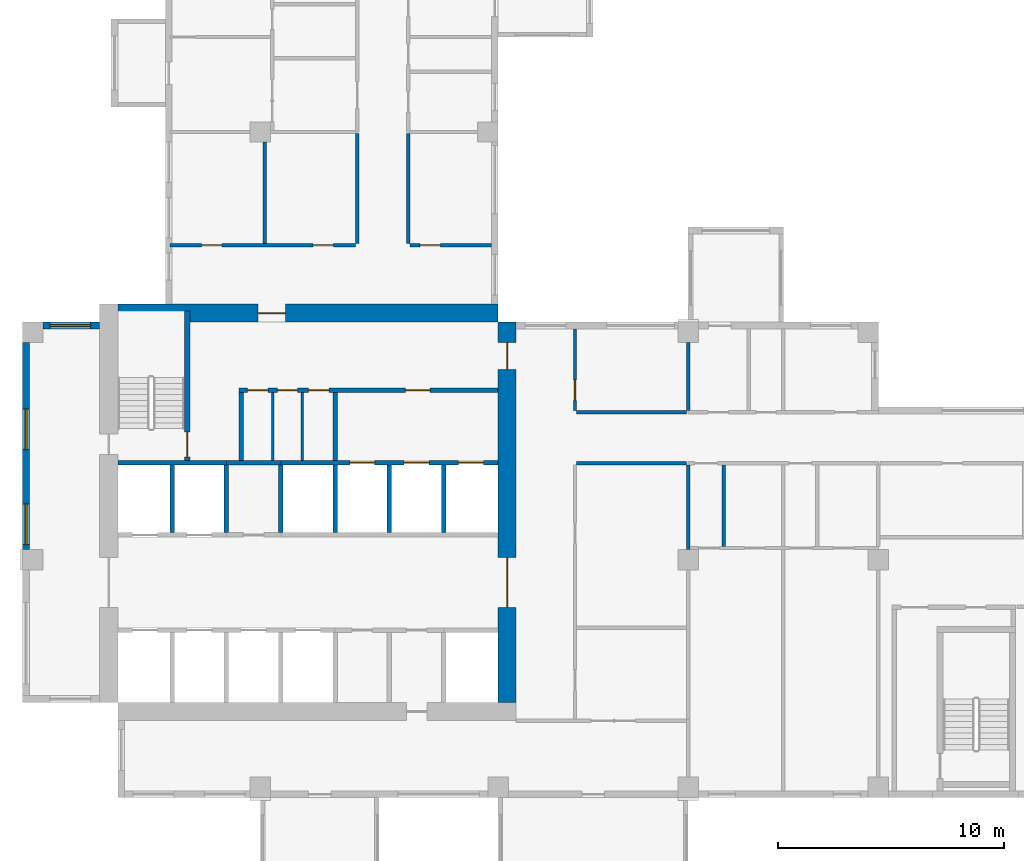
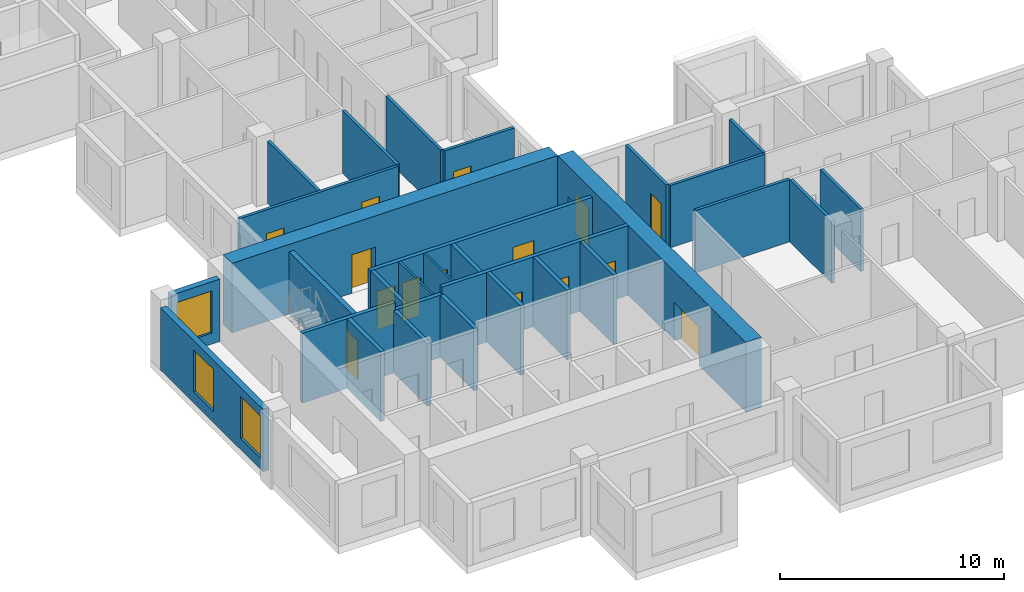
# One storey, part 3 of 12: 30 walls, 15 doors, 3 windows, 18 openings.
"""IFC4 building model written with IfcOpenShell, lengths in metres."""

from ifc_helpers import new_model, si_unit, direction, frame, frame_2d, origin, place, context, subcontext, project, spatial, rectangle, extrude, source, transform, mapped, material, layer, layer_set, type_object, element, fill, save


model = new_model("IFC4")

# Units and contexts
model_context = context("Model", 3, precision=1e-05, world=origin(), true_north=direction((0.0, 1.0)))
body_context = subcontext(model_context, "Body", "Model", "MODEL_VIEW")
ifc_project = project(units=[si_unit("LENGTHUNIT", "METRE"), si_unit("AREAUNIT", "SQUARE_METRE"), si_unit("VOLUMEUNIT", "CUBIC_METRE"), si_unit("PLANEANGLEUNIT", "RADIAN"), si_unit("MASSUNIT", "GRAM", prefix="KILO")], contexts=[model_context])

# Site, building, storey
site_placement = place(None, origin())
site = spatial("IfcSite", under=ifc_project, at=site_placement, CompositionType="ELEMENT")
building_placement = place(site_placement, origin())
building = spatial("IfcBuilding", under=site, at=building_placement, Name="Aurelian Terraces", CompositionType="ELEMENT")
storey_placement = place(building_placement, frame((0.0, 0.0, 219.6)))
storey = spatial("IfcBuildingStorey", under=building, at=storey_placement, Name="L49", CompositionType="ELEMENT", Elevation=219.6)

# Wall, openings, doors
ifc_material_1 = material(Name="Concrete fc' 70 MPa", Category="concrete")
ifc_layer_1 = layer(ifc_material_1, 0.8)
ifc_layer_set_1 = layer_set([ifc_layer_1], Name="CORE WALL 800 FC70")
wall_type_1 = type_object("IfcWallType", Name="CORE WALL 800 FC70", PredefinedType="SHEAR", material=ifc_layer_set_1)
shared_shape_1 = source(origin(), body_context, "Body", "SweptSolid", [
    extrude(rectangle(XDim=16.8, YDim=0.8, at=frame_2d((8.4, 0.0))), origin(), (0.0, 0.0, 1.0), 3.8),
])
wall_1_placement = place(storey_placement, frame((21.4, 4.2, 0.0), z_axis=(0.0, 0.0, 1.0), x_axis=(0.0, 1.0, 0.0)))
wall_1 = element("IfcWall", 1, at=wall_1_placement, inside=storey, type_object=wall_type_1, Name="Core wall E L49", PredefinedType="SHEAR", context=body_context, shape_type="MappedRepresentation", body=[
    mapped(shared_shape_1, transform((0.0, 0.0, 0.0), scale=1.0)),
])
shared_shape_2 = source(origin(), body_context, "Body", "SweptSolid", [
    extrude(rectangle(XDim=2.2, YDim=2.1, at=frame_2d((1.1, 1.05))), frame((0.0, 0.41, 0.0), z_axis=(0.0, -1.0, 0.0), x_axis=(1.0, 0.0, 0.0)), (0.0, 0.0, 1.0), 0.82),
])
opening_1_placement = place(wall_1_placement, frame((4.2, 0.0, 0.0)))
opening_1 = element("IfcOpeningElement", 2, at=opening_1_placement, cuts=wall_1, Name="Opening 65223", PredefinedType="OPENING", context=body_context, shape_type="MappedRepresentation", body=[
    mapped(shared_shape_2, transform((0.0, 0.0, 0.0), scale=1.0)),
])
shared_shape_3 = source(origin(), body_context, "Body", "SweptSolid", [
    extrude(rectangle(XDim=1.2, YDim=2.1, at=frame_2d((0.6, 1.05))), frame((0.0, 0.41, 0.0), z_axis=(0.0, -1.0, 0.0), x_axis=(1.0, 0.0, 0.0)), (0.0, 0.0, 1.0), 0.82),
])
opening_2_placement = place(wall_1_placement, frame((14.7, 0.0, 0.0)))
opening_2 = element("IfcOpeningElement", 3, at=opening_2_placement, cuts=wall_1, Name="Opening 65226", PredefinedType="OPENING", context=body_context, shape_type="MappedRepresentation", body=[
    mapped(shared_shape_3, transform((0.0, 0.0, 0.0), scale=1.0)),
])
ifc_material_2 = material(Name="Steel door leaf", Category="steel")
door_type_1 = type_object("IfcDoorType", Name="Core fire door 1200x2100 right", OperationType="SINGLE_SWING_RIGHT", PredefinedType="DOOR", material=ifc_material_2)
shared_shape_4 = source(origin(), body_context, "Body", "SweptSolid", [
    extrude(rectangle(XDim=1.2, YDim=2.1, at=frame_2d((0.6, 1.05))), frame((0.0, 0.025, 0.0), z_axis=(0.0, -1.0, 0.0), x_axis=(1.0, 0.0, 0.0)), (0.0, 0.0, 1.0), 0.05),
])
door_1_placement = place(opening_2_placement, origin())
door_1 = element("IfcDoor", 4, at=door_1_placement, inside=storey, type_object=door_type_1, Name="Core door 65226", OperationType="SINGLE_SWING_RIGHT", OverallHeight=2.1, OverallWidth=1.2, PredefinedType="DOOR", context=body_context, shape_type="MappedRepresentation", body=[
    mapped(shared_shape_4, transform((0.0, 0.0, 0.0), scale=1.0)),
])
fill(opening_2, door_1)
door_type_2 = type_object("IfcDoorType", Name="Core double door 2200x2100", OperationType="DOUBLE_DOOR_SINGLE_SWING", PredefinedType="DOOR", material=ifc_material_2)
shared_shape_5 = source(origin(), body_context, "Body", "SweptSolid", [
    extrude(rectangle(XDim=2.2, YDim=2.1, at=frame_2d((1.1, 1.05))), frame((0.0, 0.025, 0.0), z_axis=(0.0, -1.0, 0.0), x_axis=(1.0, 0.0, 0.0)), (0.0, 0.0, 1.0), 0.05),
])
door_2_placement = place(opening_1_placement, origin())
door_2 = element("IfcDoor", 5, at=door_2_placement, inside=storey, type_object=door_type_2, Name="Core door 65223", OperationType="DOUBLE_DOOR_SINGLE_SWING", OverallHeight=2.1, OverallWidth=2.2, PredefinedType="DOOR", context=body_context, shape_type="MappedRepresentation", body=[
    mapped(shared_shape_5, transform((0.0, 0.0, 0.0), scale=1.0)),
])
fill(opening_1, door_2)

# Wall, opening, door
wall_2_placement = place(storey_placement, frame((4.2, 21.4, 0.0), z_axis=(0.0, 0.0, 1.0), x_axis=(1.0, 0.0, 0.0)))
wall_2 = element("IfcWall", 6, at=wall_2_placement, inside=storey, type_object=wall_type_1, Name="Core wall N L49", PredefinedType="SHEAR", context=body_context, shape_type="MappedRepresentation", body=[
    mapped(shared_shape_1, transform((0.0, 0.0, 0.0), scale=1.0)),
])
opening_3_placement = place(wall_2_placement, frame((6.2, 0.0, 0.0)))
opening_3 = element("IfcOpeningElement", 7, at=opening_3_placement, cuts=wall_2, Name="Opening 65225", PredefinedType="OPENING", context=body_context, shape_type="MappedRepresentation", body=[
    mapped(shared_shape_3, transform((0.0, 0.0, 0.0), scale=1.0)),
])
door_type_3 = type_object("IfcDoorType", Name="Core fire door 1200x2100", OperationType="SINGLE_SWING_LEFT", PredefinedType="DOOR", material=ifc_material_2)
door_3_placement = place(opening_3_placement, origin())
door_3 = element("IfcDoor", 8, at=door_3_placement, inside=storey, type_object=door_type_3, Name="Core door 65225", OperationType="SINGLE_SWING_LEFT", OverallHeight=2.1, OverallWidth=1.2, PredefinedType="DOOR", context=body_context, shape_type="MappedRepresentation", body=[
    mapped(shared_shape_4, transform((0.0, 0.0, 0.0), scale=1.0)),
])
fill(opening_3, door_3)

# Wall, opening, window
ifc_material_3 = material(Name="Terracotta rainscreen cladding", Category="masonry")
ifc_layer_2 = layer(ifc_material_3, 0.3)
ifc_layer_set_2 = layer_set([ifc_layer_2], Name="EW-300")
wall_type_2 = type_object("IfcWallType", Name="EW-300", PredefinedType="STANDARD", material=ifc_layer_set_2)
shared_shape_6 = source(origin(), body_context, "Body", "SweptSolid", [
    extrude(rectangle(XDim=2.5, YDim=0.3, at=frame_2d((1.25, 0.0))), origin(), (0.0, 0.0, 1.0), 3.4),
])
wall_3_placement = place(storey_placement, frame((3.4, 20.85, 0.0), z_axis=(0.0, 0.0, 1.0), x_axis=(-1.0, 0.0, 0.0)))
wall_3 = element("IfcWall", 9, at=wall_3_placement, inside=storey, type_object=wall_type_2, Name="External wall L49 F19.32", PredefinedType="STANDARD", context=body_context, shape_type="MappedRepresentation", body=[
    mapped(shared_shape_6, transform((0.0, 0.0, 0.0), scale=1.0)),
])
shared_shape_7 = source(origin(), body_context, "Body", "SweptSolid", [
    extrude(rectangle(XDim=1.8, YDim=2.3, at=frame_2d((0.9, 1.15))), frame((0.0, 0.16, 0.0), z_axis=(0.0, -1.0, 0.0), x_axis=(1.0, 0.0, 0.0)), (0.0, 0.0, 1.0), 0.32),
])
opening_4_placement = place(wall_3_placement, frame((0.4, 0.0, 0.6)))
opening_4 = element("IfcOpeningElement", 10, at=opening_4_placement, cuts=wall_3, Name="Opening W1823", PredefinedType="OPENING", context=body_context, shape_type="MappedRepresentation", body=[
    mapped(shared_shape_7, transform((0.0, 0.0, 0.0), scale=1.0)),
])
ifc_material_4 = material(Name="Clear glazing", Category="glass")
window_type = type_object("IfcWindowType", Name="W-1800x2300", PartitioningType="SINGLE_PANEL", PredefinedType="WINDOW", material=ifc_material_4)
shared_shape_8 = source(origin(), body_context, "Body", "SweptSolid", [
    extrude(rectangle(XDim=1.8, YDim=2.3, at=frame_2d((0.9, 1.15))), frame((0.0, 0.03, 0.0), z_axis=(0.0, -1.0, 0.0), x_axis=(1.0, 0.0, 0.0)), (0.0, 0.0, 1.0), 0.06),
])
window_1_placement = place(opening_4_placement, origin())
window_1 = element("IfcWindow", 11, at=window_1_placement, inside=storey, type_object=window_type, Name="Window L49 L49-F19-32-0", OverallHeight=2.3, OverallWidth=1.8, PartitioningType="SINGLE_PANEL", PredefinedType="WINDOW", context=body_context, shape_type="MappedRepresentation", body=[
    mapped(shared_shape_8, transform((0.0, 0.0, 0.0), scale=1.0)),
])
fill(opening_4, window_1)

# Wall, openings, windows
shared_shape_9 = source(origin(), body_context, "Body", "SweptSolid", [
    extrude(rectangle(XDim=9.15, YDim=0.3, at=frame_2d((4.575, 0.0))), origin(), (0.0, 0.0, 1.0), 3.4),
])
wall_4_placement = place(storey_placement, frame((0.15, 20.1, 0.0), z_axis=(0.0, 0.0, 1.0), x_axis=(0.0, -1.0, 0.0)))
wall_4 = element("IfcWall", 12, at=wall_4_placement, inside=storey, type_object=wall_type_2, Name="External wall L49 F20.33", PredefinedType="STANDARD", context=body_context, shape_type="MappedRepresentation", body=[
    mapped(shared_shape_9, transform((0.0, 0.0, 0.0), scale=1.0)),
])
opening_5_placement = place(wall_4_placement, frame((2.925, 0.0, 0.6)))
opening_5 = element("IfcOpeningElement", 13, at=opening_5_placement, cuts=wall_4, Name="Opening W1823", PredefinedType="OPENING", context=body_context, shape_type="MappedRepresentation", body=[
    mapped(shared_shape_7, transform((0.0, 0.0, 0.0), scale=1.0)),
])
opening_6_placement = place(wall_4_placement, frame((7.125, 0.0, 0.6)))
opening_6 = element("IfcOpeningElement", 14, at=opening_6_placement, cuts=wall_4, Name="Opening W1823", PredefinedType="OPENING", context=body_context, shape_type="MappedRepresentation", body=[
    mapped(shared_shape_7, transform((0.0, 0.0, 0.0), scale=1.0)),
])
window_2_placement = place(opening_5_placement, origin())
window_2 = element("IfcWindow", 15, at=window_2_placement, inside=storey, type_object=window_type, Name="Window L49 L49-F20-33-1", OverallHeight=2.3, OverallWidth=1.8, PartitioningType="SINGLE_PANEL", PredefinedType="WINDOW", context=body_context, shape_type="MappedRepresentation", body=[
    mapped(shared_shape_8, transform((0.0, 0.0, 0.0), scale=1.0)),
])
fill(opening_5, window_2)
window_3_placement = place(opening_6_placement, origin())
window_3 = element("IfcWindow", 16, at=window_3_placement, inside=storey, type_object=window_type, Name="Window L49 L49-F20-33-2", OverallHeight=2.3, OverallWidth=1.8, PartitioningType="SINGLE_PANEL", PredefinedType="WINDOW", context=body_context, shape_type="MappedRepresentation", body=[
    mapped(shared_shape_8, transform((0.0, 0.0, 0.0), scale=1.0)),
])
fill(opening_6, window_3)

# Walls
ifc_material_5 = material(Name="Concrete fc' 40 MPa", Category="concrete")
ifc_layer_3 = layer(ifc_material_5, 0.2)
ifc_layer_set_3 = layer_set([ifc_layer_3], Name="Lift shaft wall 200")
wall_type_3 = type_object("IfcWallType", Name="Lift shaft wall 200", PredefinedType="SOLIDWALL", material=ifc_layer_set_3)
shared_shape_10 = source(origin(), body_context, "Body", "SweptSolid", [
    extrude(rectangle(XDim=3.0, YDim=0.2, at=frame_2d((1.5, 0.0))), origin(), (0.0, 0.0, 1.0), 3.4),
])
for number, where, z_axis, x_axis, name in (
    (17, (9.0, 11.7, 0.0), (0.0, 0.0, 1.0), (0.0, 1.0, 0.0), "L49 core wall CD-B2"),
    (18, (11.4, 11.7, 0.0), (0.0, 0.0, 1.0), (0.0, 1.0, 0.0), "L49 core wall CD-B3"),
):
    element("IfcWall", number, at=place(storey_placement, frame(where, z_axis=z_axis, x_axis=x_axis)), inside=storey, type_object=wall_type_3, Name=name, PredefinedType="SOLIDWALL", context=body_context, shape_type="MappedRepresentation", body=[
        mapped(shared_shape_10, transform((0.0, 0.0, 0.0), scale=1.0)),
    ])
shared_shape_11 = source(origin(), body_context, "Body", "SweptSolid", [
    extrude(rectangle(XDim=3.0, YDim=0.2, at=frame_2d((1.5, 0.0))), origin(), (0.0, 0.0, 1.0), 3.8),
])
for number, where, z_axis, x_axis, name in (
    (19, (6.6, 11.7, 0.0), (0.0, 0.0, 1.0), (0.0, 1.0, 0.0), "L49 core wall CD-B1"),
    (20, (13.8, 11.7, 0.0), (0.0, 0.0, 1.0), (0.0, 1.0, 0.0), "L49 core wall CD-B4"),
    (21, (16.2, 11.7, 0.0), (0.0, 0.0, 1.0), (0.0, 1.0, 0.0), "L49 core wall CD-B5"),
    (22, (18.6, 11.7, 0.0), (0.0, 0.0, 1.0), (0.0, 1.0, 0.0), "L49 core wall CD-B6"),
):
    element("IfcWall", number, at=place(storey_placement, frame(where, z_axis=z_axis, x_axis=x_axis)), inside=storey, type_object=wall_type_3, Name=name, PredefinedType="SOLIDWALL", context=body_context, shape_type="MappedRepresentation", body=[
        mapped(shared_shape_11, transform((0.0, 0.0, 0.0), scale=1.0)),
    ])

# Wall, openings, doors
shared_shape_12 = source(origin(), body_context, "Body", "SweptSolid", [
    extrude(rectangle(XDim=9.6, YDim=0.2, at=frame_2d((4.8, 0.0))), origin(), (0.0, 0.0, 1.0), 3.8),
])
wall_5_placement = place(storey_placement, frame((11.4, 14.8, 0.0), z_axis=(0.0, 0.0, 1.0), x_axis=(1.0, 0.0, 0.0)))
wall_5 = element("IfcWall", 23, at=wall_5_placement, inside=storey, type_object=wall_type_3, Name="L49 core wall CF-BB3", PredefinedType="SOLIDWALL", context=body_context, shape_type="MappedRepresentation", body=[
    mapped(shared_shape_12, transform((0.0, 0.0, 0.0), scale=1.0)),
])
shared_shape_13 = source(origin(), body_context, "Body", "SweptSolid", [
    extrude(rectangle(XDim=1.1, YDim=2.1, at=frame_2d((0.55, 1.05))), frame((0.0, 0.11, 0.0), z_axis=(0.0, -1.0, 0.0), x_axis=(1.0, 0.0, 0.0)), (0.0, 0.0, 1.0), 0.22),
])
opening_7_placement = place(wall_5_placement, frame((3.05, 0.0, 0.0)))
opening_7 = element("IfcOpeningElement", 24, at=opening_7_placement, cuts=wall_5, Name="Opening 65209", PredefinedType="OPENING", context=body_context, shape_type="MappedRepresentation", body=[
    mapped(shared_shape_13, transform((0.0, 0.0, 0.0), scale=1.0)),
])
opening_8_placement = place(wall_5_placement, frame((5.45, 0.0, 0.0)))
opening_8 = element("IfcOpeningElement", 25, at=opening_8_placement, cuts=wall_5, Name="Opening 65210", PredefinedType="OPENING", context=body_context, shape_type="MappedRepresentation", body=[
    mapped(shared_shape_13, transform((0.0, 0.0, 0.0), scale=1.0)),
])
opening_9_placement = place(wall_5_placement, frame((7.85, 0.0, 0.0)))
opening_9 = element("IfcOpeningElement", 26, at=opening_9_placement, cuts=wall_5, Name="Opening 65211", PredefinedType="OPENING", context=body_context, shape_type="MappedRepresentation", body=[
    mapped(shared_shape_13, transform((0.0, 0.0, 0.0), scale=1.0)),
])
ifc_material_6 = material(Name="Stainless steel", Category="steel")
door_type_4 = type_object("IfcDoorType", Name="Lift landing door 1100x2100", OperationType="SLIDING_TO_LEFT", PredefinedType="DOOR", material=ifc_material_6)
shared_shape_14 = source(origin(), body_context, "Body", "SweptSolid", [
    extrude(rectangle(XDim=1.1, YDim=2.1, at=frame_2d((0.55, 1.05))), frame((0.0, 0.025, 0.0), z_axis=(0.0, -1.0, 0.0), x_axis=(1.0, 0.0, 0.0)), (0.0, 0.0, 1.0), 0.05),
])
door_4_placement = place(opening_7_placement, origin())
door_4 = element("IfcDoor", 27, at=door_4_placement, inside=storey, type_object=door_type_4, Name="Lift landing door F1 L49", OperationType="SLIDING_TO_LEFT", OverallHeight=2.1, OverallWidth=1.1, PredefinedType="DOOR", context=body_context, shape_type="MappedRepresentation", body=[
    mapped(shared_shape_14, transform((0.0, 0.0, 0.0), scale=1.0)),
])
fill(opening_7, door_4)
door_5_placement = place(opening_8_placement, origin())
door_5 = element("IfcDoor", 28, at=door_5_placement, inside=storey, type_object=door_type_4, Name="Lift landing door F2 L49", OperationType="SLIDING_TO_LEFT", OverallHeight=2.1, OverallWidth=1.1, PredefinedType="DOOR", context=body_context, shape_type="MappedRepresentation", body=[
    mapped(shared_shape_14, transform((0.0, 0.0, 0.0), scale=1.0)),
])
fill(opening_8, door_5)
door_6_placement = place(opening_9_placement, origin())
door_6 = element("IfcDoor", 29, at=door_6_placement, inside=storey, type_object=door_type_4, Name="Lift landing door F3 L49", OperationType="SLIDING_TO_LEFT", OverallHeight=2.1, OverallWidth=1.1, PredefinedType="DOOR", context=body_context, shape_type="MappedRepresentation", body=[
    mapped(shared_shape_14, transform((0.0, 0.0, 0.0), scale=1.0)),
])
fill(opening_9, door_6)

# Walls
shared_shape_15 = source(origin(), body_context, "Body", "SweptSolid", [
    extrude(rectangle(XDim=4.8, YDim=0.2, at=frame_2d((2.4, 0.0))), origin(), (0.0, 0.0, 1.0), 3.8),
])
wall_6_placement = place(storey_placement, frame((4.2, 14.8, 0.0), z_axis=(0.0, 0.0, 1.0), x_axis=(1.0, 0.0, 0.0)))
element("IfcWall", 30, at=wall_6_placement, inside=storey, type_object=wall_type_3, Name="L49 core wall CF-BB1", PredefinedType="SOLIDWALL", context=body_context, shape_type="MappedRepresentation", body=[
    mapped(shared_shape_15, transform((0.0, 0.0, 0.0), scale=1.0)),
])
shared_shape_16 = source(origin(), body_context, "Body", "SweptSolid", [
    extrude(rectangle(XDim=2.4, YDim=0.2, at=frame_2d((1.2, 0.0))), origin(), (0.0, 0.0, 1.0), 3.4),
])
wall_7_placement = place(storey_placement, frame((9.0, 14.8, 0.0), z_axis=(0.0, 0.0, 1.0), x_axis=(1.0, 0.0, 0.0)))
element("IfcWall", 31, at=wall_7_placement, inside=storey, type_object=wall_type_3, Name="L49 core wall CF-BB2", PredefinedType="SOLIDWALL", context=body_context, shape_type="MappedRepresentation", body=[
    mapped(shared_shape_16, transform((0.0, 0.0, 0.0), scale=1.0)),
])
ifc_material_7 = material(Name="Gypsum board on steel studs", Category="steel")
ifc_layer_4 = layer(ifc_material_7, 0.2)
ifc_layer_set_4 = layer_set([ifc_layer_4], Name="Core partition 200")
wall_type_4 = type_object("IfcWallType", Name="Core partition 200", PredefinedType="PARTITIONING", material=ifc_layer_set_4)
shared_shape_17 = source(origin(), body_context, "Body", "SweptSolid", [
    extrude(rectangle(XDim=3.0, YDim=0.2, at=frame_2d((1.5, 0.0))), origin(), (0.0, 0.0, 1.0), 3.4),
])
for number, where, z_axis, x_axis, name in (
    (32, (9.65, 14.9, 0.0), (0.0, 0.0, 1.0), (0.0, 1.0, 0.0), "L49 core wall CP-VEST"),
    (33, (13.8, 14.9, 0.0), (0.0, 0.0, 1.0), (0.0, 1.0, 0.0), "L49 core wall CP-FFL"),
):
    element("IfcWall", number, at=place(storey_placement, frame(where, z_axis=z_axis, x_axis=x_axis)), inside=storey, type_object=wall_type_4, Name=name, PredefinedType="PARTITIONING", context=body_context, shape_type="MappedRepresentation", body=[
        mapped(shared_shape_17, transform((0.0, 0.0, 0.0), scale=1.0)),
    ])
ifc_layer_5 = layer(ifc_material_7, 0.1)
ifc_layer_set_5 = layer_set([ifc_layer_5], Name="Core partition 100")
wall_type_5 = type_object("IfcWallType", Name="Core partition 100", PredefinedType="PARTITIONING", material=ifc_layer_set_5)
shared_shape_18 = source(origin(), body_context, "Body", "SweptSolid", [
    extrude(rectangle(XDim=3.0, YDim=0.1, at=frame_2d((1.5, 0.0))), origin(), (0.0, 0.0, 1.0), 3.4),
])
for number, where, z_axis, x_axis, name in (
    (34, (11.05, 14.9, 0.0), (0.0, 0.0, 1.0), (0.0, 1.0, 0.0), "L49 core wall CP-SV1"),
    (35, (12.35, 14.9, 0.0), (0.0, 0.0, 1.0), (0.0, 1.0, 0.0), "L49 core wall CP-SV2"),
):
    element("IfcWall", number, at=place(storey_placement, frame(where, z_axis=z_axis, x_axis=x_axis)), inside=storey, type_object=wall_type_5, Name=name, PredefinedType="PARTITIONING", context=body_context, shape_type="MappedRepresentation", body=[
        mapped(shared_shape_18, transform((0.0, 0.0, 0.0), scale=1.0)),
    ])

# Wall, opening, door
ifc_layer_6 = layer(ifc_material_5, 0.25)
ifc_layer_set_6 = layer_set([ifc_layer_6], Name="Stair enclosure wall 250")
wall_type_6 = type_object("IfcWallType", Name="Stair enclosure wall 250", PredefinedType="SOLIDWALL", material=ifc_layer_set_6)
shared_shape_19 = source(origin(), body_context, "Body", "SweptSolid", [
    extrude(rectangle(XDim=6.6, YDim=0.25, at=frame_2d((3.3, 0.0))), origin(), (0.0, 0.0, 1.0), 3.4),
])
wall_8_placement = place(storey_placement, frame((7.275, 14.9, 0.0), z_axis=(0.0, 0.0, 1.0), x_axis=(0.0, 1.0, 0.0)))
wall_8 = element("IfcWall", 36, at=wall_8_placement, inside=storey, type_object=wall_type_6, Name="L49 core wall ST-S1-E", PredefinedType="SOLIDWALL", context=body_context, shape_type="MappedRepresentation", body=[
    mapped(shared_shape_19, transform((0.0, 0.0, 0.0), scale=1.0)),
])
shared_shape_20 = source(origin(), body_context, "Body", "SweptSolid", [
    extrude(rectangle(XDim=1.1, YDim=2.1, at=frame_2d((0.55, 1.05))), frame((0.0, 0.135, 0.0), z_axis=(0.0, -1.0, 0.0), x_axis=(1.0, 0.0, 0.0)), (0.0, 0.0, 1.0), 0.27),
])
opening_10_placement = place(wall_8_placement, frame((0.15, 0.0, 0.0)))
opening_10 = element("IfcOpeningElement", 37, at=opening_10_placement, cuts=wall_8, Name="Opening 65212", PredefinedType="OPENING", context=body_context, shape_type="MappedRepresentation", body=[
    mapped(shared_shape_20, transform((0.0, 0.0, 0.0), scale=1.0)),
])
door_type_5 = type_object("IfcDoorType", Name="Core fire door 1100x2100", OperationType="SINGLE_SWING_LEFT", PredefinedType="DOOR", material=ifc_material_2)
door_7_placement = place(opening_10_placement, origin())
door_7 = element("IfcDoor", 38, at=door_7_placement, inside=storey, type_object=door_type_5, Name="Stair door 65212", OperationType="SINGLE_SWING_LEFT", OverallHeight=2.1, OverallWidth=1.1, PredefinedType="DOOR", context=body_context, shape_type="MappedRepresentation", body=[
    mapped(shared_shape_14, transform((0.0, 0.0, 0.0), scale=1.0)),
])
fill(opening_10, door_7)

# Wall, openings, doors
shared_shape_21 = source(origin(), body_context, "Body", "SweptSolid", [
    extrude(rectangle(XDim=11.45, YDim=0.2, at=frame_2d((5.725, 0.0))), origin(), (0.0, 0.0, 1.0), 3.4),
])
wall_9_placement = place(storey_placement, frame((9.55, 18.0, 0.0), z_axis=(0.0, 0.0, 1.0), x_axis=(1.0, 0.0, 0.0)))
wall_9 = element("IfcWall", 39, at=wall_9_placement, inside=storey, type_object=wall_type_4, Name="L49 core wall CP-NORTH", PredefinedType="PARTITIONING", context=body_context, shape_type="MappedRepresentation", body=[
    mapped(shared_shape_21, transform((0.0, 0.0, 0.0), scale=1.0)),
])
shared_shape_22 = source(origin(), body_context, "Body", "SweptSolid", [
    extrude(rectangle(XDim=0.9, YDim=2.1, at=frame_2d((0.45, 1.05))), frame((0.0, 0.11, 0.0), z_axis=(0.0, -1.0, 0.0), x_axis=(1.0, 0.0, 0.0)), (0.0, 0.0, 1.0), 0.22),
])
opening_11_placement = place(wall_9_placement, frame((0.375, 0.0, 0.0)))
opening_11 = element("IfcOpeningElement", 40, at=opening_11_placement, cuts=wall_9, Name="Opening 65213", PredefinedType="OPENING", context=body_context, shape_type="MappedRepresentation", body=[
    mapped(shared_shape_22, transform((0.0, 0.0, 0.0), scale=1.0)),
])
opening_12_placement = place(wall_9_placement, frame((1.7, 0.0, 0.0)))
opening_12 = element("IfcOpeningElement", 41, at=opening_12_placement, cuts=wall_9, Name="Opening 65214", PredefinedType="OPENING", context=body_context, shape_type="MappedRepresentation", body=[
    mapped(shared_shape_22, transform((0.0, 0.0, 0.0), scale=1.0)),
])
opening_13_placement = place(wall_9_placement, frame((3.075, 0.0, 0.0)))
opening_13 = element("IfcOpeningElement", 42, at=opening_13_placement, cuts=wall_9, Name="Opening 65215", PredefinedType="OPENING", context=body_context, shape_type="MappedRepresentation", body=[
    mapped(shared_shape_22, transform((0.0, 0.0, 0.0), scale=1.0)),
])
opening_14_placement = place(wall_9_placement, frame((7.35, 0.0, 0.0)))
opening_14 = element("IfcOpeningElement", 43, at=opening_14_placement, cuts=wall_9, Name="Opening 65216", PredefinedType="OPENING", context=body_context, shape_type="MappedRepresentation", body=[
    mapped(shared_shape_13, transform((0.0, 0.0, 0.0), scale=1.0)),
])
door_type_6 = type_object("IfcDoorType", Name="Core riser door 900x2100 right", OperationType="SINGLE_SWING_RIGHT", PredefinedType="DOOR", material=ifc_material_2)
shared_shape_23 = source(origin(), body_context, "Body", "SweptSolid", [
    extrude(rectangle(XDim=0.9, YDim=2.1, at=frame_2d((0.45, 1.05))), frame((0.0, 0.025, 0.0), z_axis=(0.0, -1.0, 0.0), x_axis=(1.0, 0.0, 0.0)), (0.0, 0.0, 1.0), 0.05),
])
door_8_placement = place(opening_11_placement, origin())
door_8 = element("IfcDoor", 44, at=door_8_placement, inside=storey, type_object=door_type_6, Name="Room door 65213", OperationType="SINGLE_SWING_RIGHT", OverallHeight=2.1, OverallWidth=0.9, PredefinedType="DOOR", context=body_context, shape_type="MappedRepresentation", body=[
    mapped(shared_shape_23, transform((0.0, 0.0, 0.0), scale=1.0)),
])
fill(opening_11, door_8)
door_type_7 = type_object("IfcDoorType", Name="Core service door 900x2100", OperationType="SINGLE_SWING_LEFT", PredefinedType="DOOR", material=ifc_material_2)
door_9_placement = place(opening_12_placement, origin())
door_9 = element("IfcDoor", 45, at=door_9_placement, inside=storey, type_object=door_type_7, Name="Room door 65214", OperationType="SINGLE_SWING_LEFT", OverallHeight=2.1, OverallWidth=0.9, PredefinedType="DOOR", context=body_context, shape_type="MappedRepresentation", body=[
    mapped(shared_shape_23, transform((0.0, 0.0, 0.0), scale=1.0)),
])
fill(opening_12, door_9)
door_type_8 = type_object("IfcDoorType", Name="Core service door 900x2100 right", OperationType="SINGLE_SWING_RIGHT", PredefinedType="DOOR", material=ifc_material_2)
door_10_placement = place(opening_13_placement, origin())
door_10 = element("IfcDoor", 46, at=door_10_placement, inside=storey, type_object=door_type_8, Name="Room door 65215", OperationType="SINGLE_SWING_RIGHT", OverallHeight=2.1, OverallWidth=0.9, PredefinedType="DOOR", context=body_context, shape_type="MappedRepresentation", body=[
    mapped(shared_shape_23, transform((0.0, 0.0, 0.0), scale=1.0)),
])
fill(opening_13, door_10)
door_11_placement = place(opening_14_placement, origin())
door_11 = element("IfcDoor", 47, at=door_11_placement, inside=storey, type_object=door_type_5, Name="Ff lobby door 65216", OperationType="SINGLE_SWING_LEFT", OverallHeight=2.1, OverallWidth=1.1, PredefinedType="DOOR", context=body_context, shape_type="MappedRepresentation", body=[
    mapped(shared_shape_14, transform((0.0, 0.0, 0.0), scale=1.0)),
])
fill(opening_14, door_11)

# Wall, opening, door
ifc_layer_7 = layer(ifc_material_7, 0.15)
ifc_layer_set_7 = layer_set([ifc_layer_7], Name="Partition 150")
wall_type_7 = type_object("IfcWallType", Name="Partition 150", PredefinedType="PARTITIONING", material=ifc_layer_set_7)
shared_shape_24 = source(origin(), body_context, "Body", "SweptSolid", [
    extrude(rectangle(XDim=3.6, YDim=0.15, at=frame_2d((1.8, 0.0))), origin(), (0.0, 0.0, 1.0), 3.4),
])
wall_10_placement = place(storey_placement, frame((24.4, 20.7, 0.0), z_axis=(0.0, 0.0, 1.0), x_axis=(0.0, -1.0, 0.0)))
wall_10 = element("IfcWall", 48, at=wall_10_placement, inside=storey, type_object=wall_type_7, Name="Partition", PredefinedType="PARTITIONING", context=body_context, shape_type="MappedRepresentation", body=[
    mapped(shared_shape_24, transform((0.0, 0.0, 0.0), scale=1.0)),
])
shared_shape_25 = source(origin(), body_context, "Body", "SweptSolid", [
    extrude(rectangle(XDim=0.9, YDim=2.1, at=frame_2d((0.45, 1.05))), frame((0.0, 0.085, 0.0), z_axis=(0.0, -1.0, 0.0), x_axis=(1.0, 0.0, 0.0)), (0.0, 0.0, 1.0), 0.17),
])
opening_15_placement = place(wall_10_placement, frame((2.25, 0.0, 0.0)))
opening_15 = element("IfcOpeningElement", 49, at=opening_15_placement, cuts=wall_10, Name="Opening 749003", PredefinedType="OPENING", context=body_context, shape_type="MappedRepresentation", body=[
    mapped(shared_shape_25, transform((0.0, 0.0, 0.0), scale=1.0)),
])
ifc_material_8 = material(Name="Timber door leaf", Category="wood")
door_type_9 = type_object("IfcDoorType", Name="Room door 900x2100 left", OperationType="SINGLE_SWING_LEFT", PredefinedType="DOOR", material=ifc_material_8)
door_12_placement = place(opening_15_placement, origin())
door_12 = element("IfcDoor", 50, at=door_12_placement, inside=storey, type_object=door_type_9, Name="Door 749003", OperationType="SINGLE_SWING_LEFT", OverallHeight=2.1, OverallWidth=0.9, PredefinedType="DOOR", context=body_context, shape_type="MappedRepresentation", body=[
    mapped(shared_shape_23, transform((0.0, 0.0, 0.0), scale=1.0)),
])
fill(opening_15, door_12)

# Wall
wall_11_placement = place(storey_placement, frame((30.975, 11.1, 0.0), z_axis=(0.0, 0.0, 1.0), x_axis=(0.0, 1.0, 0.0)))
element("IfcWall", 51, at=wall_11_placement, inside=storey, type_object=wall_type_7, Name="Partition", PredefinedType="PARTITIONING", context=body_context, shape_type="MappedRepresentation", body=[
    mapped(shared_shape_24, transform((0.0, 0.0, 0.0), scale=1.0)),
])

# Wall, opening, door
wall_12_placement = place(storey_placement, frame((17.1, 24.4, 0.0), z_axis=(0.0, 0.0, 1.0), x_axis=(1.0, 0.0, 0.0)))
wall_12 = element("IfcWall", 52, at=wall_12_placement, inside=storey, type_object=wall_type_7, Name="Partition", PredefinedType="PARTITIONING", context=body_context, shape_type="MappedRepresentation", body=[
    mapped(shared_shape_24, transform((0.0, 0.0, 0.0), scale=1.0)),
])
opening_16_placement = place(wall_12_placement, frame((0.45, 0.0, 0.0)))
opening_16 = element("IfcOpeningElement", 53, at=opening_16_placement, cuts=wall_12, Name="Opening 749021", PredefinedType="OPENING", context=body_context, shape_type="MappedRepresentation", body=[
    mapped(shared_shape_25, transform((0.0, 0.0, 0.0), scale=1.0)),
])
door_13_placement = place(opening_16_placement, origin())
door_13 = element("IfcDoor", 54, at=door_13_placement, inside=storey, type_object=door_type_9, Name="Door 749021", OperationType="SINGLE_SWING_LEFT", OverallHeight=2.1, OverallWidth=0.9, PredefinedType="DOOR", context=body_context, shape_type="MappedRepresentation", body=[
    mapped(shared_shape_23, transform((0.0, 0.0, 0.0), scale=1.0)),
])
fill(opening_16, door_13)

# Walls
shared_shape_26 = source(origin(), body_context, "Body", "SweptSolid", [
    extrude(rectangle(XDim=3.001, YDim=0.15, at=frame_2d((1.5005, 0.0))), origin(), (0.0, 0.0, 1.0), 3.4),
])
wall_13_placement = place(storey_placement, frame((29.4, 17.1, 0.0), z_axis=(0.0, 0.0, 1.0), x_axis=(0.0, 1.0, 0.0)))
element("IfcWall", 55, at=wall_13_placement, inside=storey, type_object=wall_type_7, Name="Partition", PredefinedType="PARTITIONING", context=body_context, shape_type="MappedRepresentation", body=[
    mapped(shared_shape_26, transform((0.0, 0.0, 0.0), scale=1.0)),
])
shared_shape_27 = source(origin(), body_context, "Body", "SweptSolid", [
    extrude(rectangle(XDim=3.751, YDim=0.15, at=frame_2d((1.8755, 0.0))), origin(), (0.0, 0.0, 1.0), 3.4),
])
wall_14_placement = place(storey_placement, frame((29.4, 10.949, 0.0), z_axis=(0.0, 0.0, 1.0), x_axis=(0.0, 1.0, 0.0)))
element("IfcWall", 56, at=wall_14_placement, inside=storey, type_object=wall_type_7, Name="Partition", PredefinedType="PARTITIONING", context=body_context, shape_type="MappedRepresentation", body=[
    mapped(shared_shape_27, transform((0.0, 0.0, 0.0), scale=1.0)),
])
ifc_layer_8 = layer(ifc_material_7, 0.15)
ifc_layer_set_8 = layer_set([ifc_layer_8], Name="Fire partition 150")
wall_type_8 = type_object("IfcWallType", Name="Fire partition 150", PredefinedType="PARTITIONING", material=ifc_layer_set_8)
shared_shape_28 = source(origin(), body_context, "Body", "SweptSolid", [
    extrude(rectangle(XDim=4.85, YDim=0.15, at=frame_2d((2.425, 0.0))), origin(), (0.0, 0.0, 1.0), 3.4),
])
for number, where, z_axis, x_axis, name in (
    (57, (29.325, 14.775, 0.0), (0.0, 0.0, 1.0), (-1.0, 0.0, 0.0), "Corridor wall"),
    (58, (24.475, 17.025, 0.0), (0.0, 0.0, 1.0), (1.0, 0.0, 0.0), "Corridor wall"),
    (59, (14.775, 24.475, 0.0), (0.0, 0.0, 1.0), (0.0, 1.0, 0.0), "Corridor wall"),
    (60, (17.025, 29.325, 0.0), (0.0, 0.0, 1.0), (0.0, -1.0, 0.0), "Corridor wall"),
):
    element("IfcWall", number, at=place(storey_placement, frame(where, z_axis=z_axis, x_axis=x_axis)), inside=storey, type_object=wall_type_8, Name=name, PredefinedType="PARTITIONING", context=body_context, shape_type="MappedRepresentation", body=[
        mapped(shared_shape_28, transform((0.0, 0.0, 0.0), scale=1.0)),
    ])

# Wall, openings, doors
shared_shape_29 = source(origin(), body_context, "Body", "SweptSolid", [
    extrude(rectangle(XDim=8.195, YDim=0.15, at=frame_2d((4.0975, 0.0))), origin(), (0.0, 0.0, 1.0), 3.4),
])
wall_15_placement = place(storey_placement, frame((6.505, 24.4, 0.0), z_axis=(0.0, 0.0, 1.0), x_axis=(1.0, 0.0, 0.0)))
wall_15 = element("IfcWall", 61, at=wall_15_placement, inside=storey, type_object=wall_type_7, Name="Partition", PredefinedType="PARTITIONING", context=body_context, shape_type="MappedRepresentation", body=[
    mapped(shared_shape_29, transform((0.0, 0.0, 0.0), scale=1.0)),
])
opening_17_placement = place(wall_15_placement, frame((1.395, 0.0, 0.0)))
opening_17 = element("IfcOpeningElement", 62, at=opening_17_placement, cuts=wall_15, Name="Opening 749019", PredefinedType="OPENING", context=body_context, shape_type="MappedRepresentation", body=[
    mapped(shared_shape_25, transform((0.0, 0.0, 0.0), scale=1.0)),
])
opening_18_placement = place(wall_15_placement, frame((6.32, 0.0, 0.0)))
opening_18 = element("IfcOpeningElement", 63, at=opening_18_placement, cuts=wall_15, Name="Opening 749020", PredefinedType="OPENING", context=body_context, shape_type="MappedRepresentation", body=[
    mapped(shared_shape_25, transform((0.0, 0.0, 0.0), scale=1.0)),
])
door_14_placement = place(opening_17_placement, origin())
door_14 = element("IfcDoor", 64, at=door_14_placement, inside=storey, type_object=door_type_9, Name="Door 749019", OperationType="SINGLE_SWING_LEFT", OverallHeight=2.1, OverallWidth=0.9, PredefinedType="DOOR", context=body_context, shape_type="MappedRepresentation", body=[
    mapped(shared_shape_23, transform((0.0, 0.0, 0.0), scale=1.0)),
])
fill(opening_17, door_14)
door_type_10 = type_object("IfcDoorType", Name="Room door 900x2100 right", OperationType="SINGLE_SWING_RIGHT", PredefinedType="DOOR", material=ifc_material_8)
door_15_placement = place(opening_18_placement, origin())
door_15 = element("IfcDoor", 65, at=door_15_placement, inside=storey, type_object=door_type_10, Name="Door 749020", OperationType="SINGLE_SWING_RIGHT", OverallHeight=2.1, OverallWidth=0.9, PredefinedType="DOOR", context=body_context, shape_type="MappedRepresentation", body=[
    mapped(shared_shape_23, transform((0.0, 0.0, 0.0), scale=1.0)),
])
fill(opening_18, door_15)

# Wall
shared_shape_30 = source(origin(), body_context, "Body", "SweptSolid", [
    extrude(rectangle(XDim=4.476, YDim=0.15, at=frame_2d((2.238, 0.0))), origin(), (0.0, 0.0, 1.0), 3.4),
])
wall_16_placement = place(storey_placement, frame((10.7, 24.475, 0.0), z_axis=(0.0, 0.0, 1.0), x_axis=(0.0, 1.0, 0.0)))
element("IfcWall", 66, at=wall_16_placement, inside=storey, type_object=wall_type_7, Name="Partition", PredefinedType="PARTITIONING", context=body_context, shape_type="MappedRepresentation", body=[
    mapped(shared_shape_30, transform((0.0, 0.0, 0.0), scale=1.0)),
])

save(model, "model.ifc")
